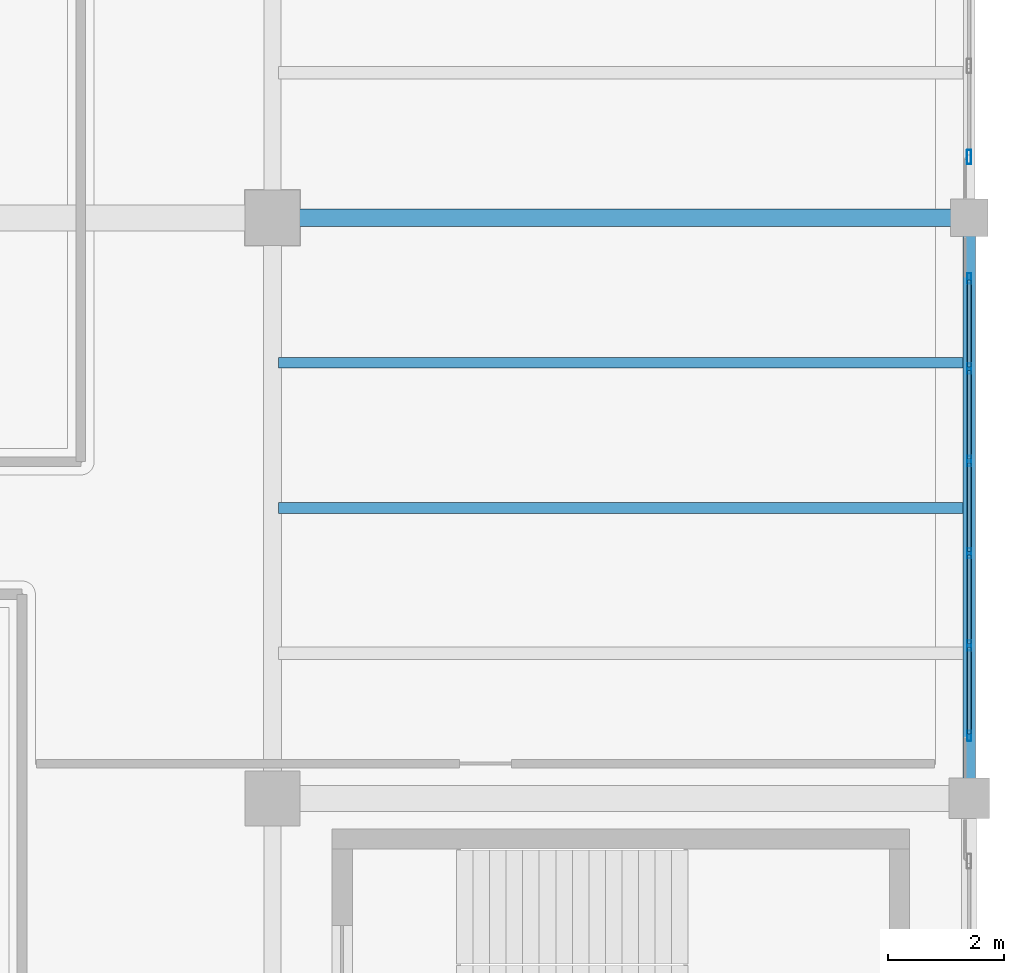
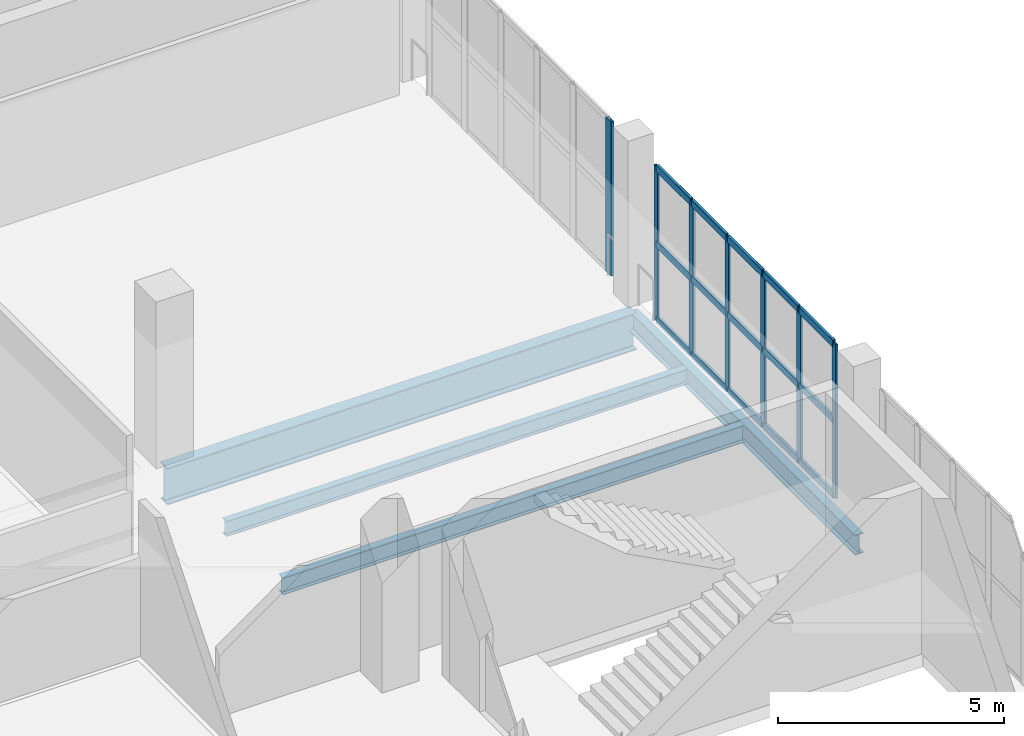
# One storey, part 39 of 90: 22 members, 4 beams, 2 elements without a shape of their own.
"""IFC4 building model written with IfcOpenShell, lengths in metres."""

from ifc_helpers import new_model, si_unit, direction, frame, origin, origin_2d, place, context, subcontext, project, spatial, hollow_rectangle, i_section, extrude, material, layer, layer_set, material_profile, profile_set, type_object, element, aggregate, save


model = new_model("IFC4")

# Units and contexts
model_context = context("Model", 3, precision=1e-05, world=origin(), true_north=direction((0.0, 1.0)))
body_context = subcontext(model_context, "Body", "Model", "MODEL_VIEW")
ifc_project = project(units=[si_unit("LENGTHUNIT", "METRE"), si_unit("AREAUNIT", "SQUARE_METRE"), si_unit("VOLUMEUNIT", "CUBIC_METRE"), si_unit("PLANEANGLEUNIT", "RADIAN"), si_unit("MASSUNIT", "GRAM", prefix="KILO")], contexts=[model_context])

# Site, building, storey
site_placement = place(None, origin())
site = spatial("IfcSite", under=ifc_project, at=site_placement, CompositionType="ELEMENT")
building_placement = place(site_placement, origin())
building = spatial("IfcBuilding", under=site, at=building_placement, Name="Brinegate Civic Arena", CompositionType="ELEMENT")
storey_placement = place(building_placement, frame((0.0, 0.0, 14.699951171875)))
storey = spatial("IfcBuildingStorey", under=building, at=storey_placement, Name="L03", CompositionType="ELEMENT", Elevation=14.699951171875)

# Curtain wall, members
ifc_material_1 = material(Name="Marine grade aluminium", Category="aluminium")
ifc_layer = layer(ifc_material_1, 0.199951171875, Name="Marine grade aluminium")
ifc_layer_set = layer_set([ifc_layer], Name="Marine grade aluminium")
curtain_wall_type = type_object("IfcCurtainWallType", Name="CW-BOWL-GLAZED-01", PredefinedType="USERDEFINED", material=ifc_layer_set)
curtain_wall_1_placement = place(storey_placement, origin())
curtain_wall_1 = element("IfcCurtainWall", 1, at=curtain_wall_1_placement, inside=storey, type_object=curtain_wall_type, Name="Curtain Wall CWA-112", ObjectType="GLAZED CURTAIN WALL", PredefinedType="USERDEFINED")
ifc_material_profile_1 = material_profile(ifc_material_1, hollow_rectangle(XDim=0.06494140625, YDim=0.179931640625, WallThickness=0.0048828125, InnerFilletRadius=0.00390625, OuterFilletRadius=0.008056640625, at=origin_2d()), Name="MUL65X180")
ifc_profile_set_1 = profile_set([ifc_material_profile_1], Name="Marine grade aluminium")
member_type_1 = type_object("IfcMemberType", Name="CW-MULLION-65X180", PredefinedType="MULLION", material=ifc_profile_set_1)
member_1_placement = place(storey_placement, frame((168.0, 53.077392578125, 0.0), z_axis=(0.0, 0.0, 1.0), x_axis=(-1.0, 0.0, 0.0)))
member_1 = element("IfcMember", 2, at=member_1_placement, type_object=member_type_1, Name="CWA-112 mullion 1", PredefinedType="MULLION", context=body_context, shape_type="SweptSolid", body=[
    extrude(hollow_rectangle(XDim=0.06494140625, YDim=0.179931640625, WallThickness=0.0048828125, InnerFilletRadius=0.00390625, OuterFilletRadius=0.008056640625, at=origin_2d()), origin(), (0.0, 0.0, 1.0), 4.16015625),
])
member_2_placement = place(storey_placement, frame((168.0, 54.634033203125, 0.0), z_axis=(0.0, 0.0, 1.0), x_axis=(-1.0, 0.0, 0.0)))
member_2 = element("IfcMember", 3, at=member_2_placement, type_object=member_type_1, Name="CWA-112 mullion 2", PredefinedType="MULLION", context=body_context, shape_type="SweptSolid", body=[
    extrude(hollow_rectangle(XDim=0.06494140625, YDim=0.179931640625, WallThickness=0.0048828125, InnerFilletRadius=0.00390625, OuterFilletRadius=0.008056640625, at=origin_2d()), origin(), (0.0, 0.0, 1.0), 4.16015625),
])
member_3_placement = place(storey_placement, frame((168.0, 56.222900390625, 0.0), z_axis=(0.0, 0.0, 1.0), x_axis=(-1.0, 0.0, 0.0)))
member_3 = element("IfcMember", 4, at=member_3_placement, type_object=member_type_1, Name="CWA-112 mullion 3", PredefinedType="MULLION", context=body_context, shape_type="SweptSolid", body=[
    extrude(hollow_rectangle(XDim=0.06494140625, YDim=0.179931640625, WallThickness=0.0048828125, InnerFilletRadius=0.00390625, OuterFilletRadius=0.008056640625, at=origin_2d()), origin(), (0.0, 0.0, 1.0), 4.16015625),
])
member_4_placement = place(storey_placement, frame((168.0, 57.81201171875, 0.0), z_axis=(0.0, 0.0, 1.0), x_axis=(-1.0, 0.0, 0.0)))
member_4 = element("IfcMember", 5, at=member_4_placement, type_object=member_type_1, Name="CWA-112 mullion 4", PredefinedType="MULLION", context=body_context, shape_type="SweptSolid", body=[
    extrude(hollow_rectangle(XDim=0.06494140625, YDim=0.179931640625, WallThickness=0.0048828125, InnerFilletRadius=0.00390625, OuterFilletRadius=0.008056640625, at=origin_2d()), origin(), (0.0, 0.0, 1.0), 4.16015625),
])
member_5_placement = place(storey_placement, frame((168.0, 59.40087890625, 0.0), z_axis=(0.0, 0.0, 1.0), x_axis=(-1.0, 0.0, 0.0)))
member_5 = element("IfcMember", 6, at=member_5_placement, type_object=member_type_1, Name="CWA-112 mullion 5", PredefinedType="MULLION", context=body_context, shape_type="SweptSolid", body=[
    extrude(hollow_rectangle(XDim=0.06494140625, YDim=0.179931640625, WallThickness=0.0048828125, InnerFilletRadius=0.00390625, OuterFilletRadius=0.008056640625, at=origin_2d()), origin(), (0.0, 0.0, 1.0), 4.16015625),
])
member_6_placement = place(storey_placement, frame((168.0, 60.95751953125, 0.0), z_axis=(0.0, 0.0, 1.0), x_axis=(-1.0, 0.0, 0.0)))
member_6 = element("IfcMember", 7, at=member_6_placement, type_object=member_type_1, Name="CWA-112 mullion 6", PredefinedType="MULLION", context=body_context, shape_type="SweptSolid", body=[
    extrude(hollow_rectangle(XDim=0.06494140625, YDim=0.179931640625, WallThickness=0.0048828125, InnerFilletRadius=0.00390625, OuterFilletRadius=0.008056640625, at=origin_2d()), origin(), (0.0, 0.0, 1.0), 4.16015625),
])

# Curtain wall, member
curtain_wall_2_placement = place(storey_placement, origin())
curtain_wall_2 = element("IfcCurtainWall", 8, at=curtain_wall_2_placement, inside=storey, type_object=curtain_wall_type, Name="Curtain Wall CWA-114", ObjectType="GLAZED CURTAIN WALL", PredefinedType="USERDEFINED")
ifc_material_profile_2 = material_profile(ifc_material_1, hollow_rectangle(XDim=0.074951171875, YDim=0.25, WallThickness=0.006103515625, InnerFilletRadius=0.00390625, OuterFilletRadius=0.008056640625, at=origin_2d()), Name="MUL75X250")
ifc_profile_set_2 = profile_set([ifc_material_profile_2], Name="Marine grade aluminium")
member_type_2 = type_object("IfcMemberType", Name="CW-MULLION-75X250", PredefinedType="MULLION", material=ifc_profile_set_2)
member_7_placement = place(storey_placement, frame((168.0, 63.047607421875, 0.0), z_axis=(0.0, 0.0, 1.0), x_axis=(-1.0, 0.0, 0.0)))
member_7 = element("IfcMember", 9, at=member_7_placement, type_object=member_type_2, Name="CWA-114 mullion 1", PredefinedType="MULLION", context=body_context, shape_type="SweptSolid", body=[
    extrude(hollow_rectangle(XDim=0.074951171875, YDim=0.25, WallThickness=0.006103515625, InnerFilletRadius=0.00390625, OuterFilletRadius=0.008056640625, at=origin_2d()), origin(), (0.0, 0.0, 1.0), 4.16015625),
])
aggregate(curtain_wall_2, [member_7])

# Member
ifc_material_profile_3 = material_profile(ifc_material_1, hollow_rectangle(XDim=0.074951171875, YDim=0.18994140625, WallThickness=0.006103515625, InnerFilletRadius=0.00390625, OuterFilletRadius=0.008056640625, at=origin_2d()), Name="TRN75X190")
ifc_profile_set_3 = profile_set([ifc_material_profile_3], Name="Marine grade aluminium")
member_type_3 = type_object("IfcMemberType", Name="CW-TRANSOM-75X190", PredefinedType="USERDEFINED", material=ifc_profile_set_3)
member_8_placement = place(storey_placement, frame((168.0, 53.110107421875, 0.03759765625), z_axis=(0.0, 1.0, 0.0), x_axis=(-1.0, 0.0, 0.0)))
member_8 = element("IfcMember", 10, at=member_8_placement, type_object=member_type_3, Name="CWA-112 transom 1.1", ObjectType="TRANSOM", PredefinedType="USERDEFINED", context=body_context, shape_type="SweptSolid", body=[
    extrude(hollow_rectangle(XDim=0.074951171875, YDim=0.18994140625, WallThickness=0.006103515625, InnerFilletRadius=0.00390625, OuterFilletRadius=0.008056640625, at=origin_2d()), origin(), (0.0, 0.0, 1.0), 1.491455078125),
])

member_9_placement = place(storey_placement, frame((168.0, 53.110107421875, 2.080078125), z_axis=(0.0, 1.0, 0.0), x_axis=(-1.0, 0.0, 0.0)))
member_9 = element("IfcMember", 11, at=member_9_placement, type_object=member_type_3, Name="CWA-112 transom 1.2", ObjectType="TRANSOM", PredefinedType="USERDEFINED", context=body_context, shape_type="SweptSolid", body=[
    extrude(hollow_rectangle(XDim=0.074951171875, YDim=0.18994140625, WallThickness=0.006103515625, InnerFilletRadius=0.00390625, OuterFilletRadius=0.008056640625, at=origin_2d()), origin(), (0.0, 0.0, 1.0), 1.491455078125),
])

member_10_placement = place(storey_placement, frame((168.0, 53.110107421875, 4.12255859375), z_axis=(0.0, 1.0, 0.0), x_axis=(-1.0, 0.0, 0.0)))
member_10 = element("IfcMember", 12, at=member_10_placement, type_object=member_type_3, Name="CWA-112 transom 1.3", ObjectType="TRANSOM", PredefinedType="USERDEFINED", context=body_context, shape_type="SweptSolid", body=[
    extrude(hollow_rectangle(XDim=0.074951171875, YDim=0.18994140625, WallThickness=0.006103515625, InnerFilletRadius=0.00390625, OuterFilletRadius=0.008056640625, at=origin_2d()), origin(), (0.0, 0.0, 1.0), 1.491455078125),
])

member_11_placement = place(storey_placement, frame((168.0, 54.66650390625, 0.03759765625), z_axis=(0.0, 1.0, 0.0), x_axis=(-1.0, 0.0, 0.0)))
member_11 = element("IfcMember", 13, at=member_11_placement, type_object=member_type_3, Name="CWA-112 transom 2.1", ObjectType="TRANSOM", PredefinedType="USERDEFINED", context=body_context, shape_type="SweptSolid", body=[
    extrude(hollow_rectangle(XDim=0.074951171875, YDim=0.18994140625, WallThickness=0.006103515625, InnerFilletRadius=0.00390625, OuterFilletRadius=0.008056640625, at=origin_2d()), origin(), (0.0, 0.0, 1.0), 1.52392578125),
])

member_12_placement = place(storey_placement, frame((168.0, 54.66650390625, 2.080078125), z_axis=(0.0, 1.0, 0.0), x_axis=(-1.0, 0.0, 0.0)))
member_12 = element("IfcMember", 14, at=member_12_placement, type_object=member_type_3, Name="CWA-112 transom 2.2", ObjectType="TRANSOM", PredefinedType="USERDEFINED", context=body_context, shape_type="SweptSolid", body=[
    extrude(hollow_rectangle(XDim=0.074951171875, YDim=0.18994140625, WallThickness=0.006103515625, InnerFilletRadius=0.00390625, OuterFilletRadius=0.008056640625, at=origin_2d()), origin(), (0.0, 0.0, 1.0), 1.52392578125),
])

member_13_placement = place(storey_placement, frame((168.0, 54.66650390625, 4.12255859375), z_axis=(0.0, 1.0, 0.0), x_axis=(-1.0, 0.0, 0.0)))
member_13 = element("IfcMember", 15, at=member_13_placement, type_object=member_type_3, Name="CWA-112 transom 2.3", ObjectType="TRANSOM", PredefinedType="USERDEFINED", context=body_context, shape_type="SweptSolid", body=[
    extrude(hollow_rectangle(XDim=0.074951171875, YDim=0.18994140625, WallThickness=0.006103515625, InnerFilletRadius=0.00390625, OuterFilletRadius=0.008056640625, at=origin_2d()), origin(), (0.0, 0.0, 1.0), 1.52392578125),
])

member_14_placement = place(storey_placement, frame((168.0, 56.255615234375, 0.03759765625), z_axis=(0.0, 1.0, 0.0), x_axis=(-1.0, 0.0, 0.0)))
member_14 = element("IfcMember", 16, at=member_14_placement, type_object=member_type_3, Name="CWA-112 transom 3.1", ObjectType="TRANSOM", PredefinedType="USERDEFINED", context=body_context, shape_type="SweptSolid", body=[
    extrude(hollow_rectangle(XDim=0.074951171875, YDim=0.18994140625, WallThickness=0.006103515625, InnerFilletRadius=0.00390625, OuterFilletRadius=0.008056640625, at=origin_2d()), origin(), (0.0, 0.0, 1.0), 1.52392578125),
])

member_15_placement = place(storey_placement, frame((168.0, 56.255615234375, 2.080078125), z_axis=(0.0, 1.0, 0.0), x_axis=(-1.0, 0.0, 0.0)))
member_15 = element("IfcMember", 17, at=member_15_placement, type_object=member_type_3, Name="CWA-112 transom 3.2", ObjectType="TRANSOM", PredefinedType="USERDEFINED", context=body_context, shape_type="SweptSolid", body=[
    extrude(hollow_rectangle(XDim=0.074951171875, YDim=0.18994140625, WallThickness=0.006103515625, InnerFilletRadius=0.00390625, OuterFilletRadius=0.008056640625, at=origin_2d()), origin(), (0.0, 0.0, 1.0), 1.52392578125),
])

member_16_placement = place(storey_placement, frame((168.0, 56.255615234375, 4.12255859375), z_axis=(0.0, 1.0, 0.0), x_axis=(-1.0, 0.0, 0.0)))
member_16 = element("IfcMember", 18, at=member_16_placement, type_object=member_type_3, Name="CWA-112 transom 3.3", ObjectType="TRANSOM", PredefinedType="USERDEFINED", context=body_context, shape_type="SweptSolid", body=[
    extrude(hollow_rectangle(XDim=0.074951171875, YDim=0.18994140625, WallThickness=0.006103515625, InnerFilletRadius=0.00390625, OuterFilletRadius=0.008056640625, at=origin_2d()), origin(), (0.0, 0.0, 1.0), 1.52392578125),
])

member_17_placement = place(storey_placement, frame((168.0, 57.844482421875, 0.03759765625), z_axis=(0.0, 1.0, 0.0), x_axis=(-1.0, 0.0, 0.0)))
member_17 = element("IfcMember", 19, at=member_17_placement, type_object=member_type_3, Name="CWA-112 transom 4.1", ObjectType="TRANSOM", PredefinedType="USERDEFINED", context=body_context, shape_type="SweptSolid", body=[
    extrude(hollow_rectangle(XDim=0.074951171875, YDim=0.18994140625, WallThickness=0.006103515625, InnerFilletRadius=0.00390625, OuterFilletRadius=0.008056640625, at=origin_2d()), origin(), (0.0, 0.0, 1.0), 1.52392578125),
])

member_18_placement = place(storey_placement, frame((168.0, 57.844482421875, 2.080078125), z_axis=(0.0, 1.0, 0.0), x_axis=(-1.0, 0.0, 0.0)))
member_18 = element("IfcMember", 20, at=member_18_placement, type_object=member_type_3, Name="CWA-112 transom 4.2", ObjectType="TRANSOM", PredefinedType="USERDEFINED", context=body_context, shape_type="SweptSolid", body=[
    extrude(hollow_rectangle(XDim=0.074951171875, YDim=0.18994140625, WallThickness=0.006103515625, InnerFilletRadius=0.00390625, OuterFilletRadius=0.008056640625, at=origin_2d()), origin(), (0.0, 0.0, 1.0), 1.52392578125),
])

member_19_placement = place(storey_placement, frame((168.0, 57.844482421875, 4.12255859375), z_axis=(0.0, 1.0, 0.0), x_axis=(-1.0, 0.0, 0.0)))
member_19 = element("IfcMember", 21, at=member_19_placement, type_object=member_type_3, Name="CWA-112 transom 4.3", ObjectType="TRANSOM", PredefinedType="USERDEFINED", context=body_context, shape_type="SweptSolid", body=[
    extrude(hollow_rectangle(XDim=0.074951171875, YDim=0.18994140625, WallThickness=0.006103515625, InnerFilletRadius=0.00390625, OuterFilletRadius=0.008056640625, at=origin_2d()), origin(), (0.0, 0.0, 1.0), 1.52392578125),
])

member_20_placement = place(storey_placement, frame((168.0, 59.43359375, 0.03759765625), z_axis=(0.0, 1.0, 0.0), x_axis=(-1.0, 0.0, 0.0)))
member_20 = element("IfcMember", 22, at=member_20_placement, type_object=member_type_3, Name="CWA-112 transom 5.1", ObjectType="TRANSOM", PredefinedType="USERDEFINED", context=body_context, shape_type="SweptSolid", body=[
    extrude(hollow_rectangle(XDim=0.074951171875, YDim=0.18994140625, WallThickness=0.006103515625, InnerFilletRadius=0.00390625, OuterFilletRadius=0.008056640625, at=origin_2d()), origin(), (0.0, 0.0, 1.0), 1.491455078125),
])

member_21_placement = place(storey_placement, frame((168.0, 59.43359375, 2.080078125), z_axis=(0.0, 1.0, 0.0), x_axis=(-1.0, 0.0, 0.0)))
member_21 = element("IfcMember", 23, at=member_21_placement, type_object=member_type_3, Name="CWA-112 transom 5.2", ObjectType="TRANSOM", PredefinedType="USERDEFINED", context=body_context, shape_type="SweptSolid", body=[
    extrude(hollow_rectangle(XDim=0.074951171875, YDim=0.18994140625, WallThickness=0.006103515625, InnerFilletRadius=0.00390625, OuterFilletRadius=0.008056640625, at=origin_2d()), origin(), (0.0, 0.0, 1.0), 1.491455078125),
])

member_22_placement = place(storey_placement, frame((168.0, 59.43359375, 4.12255859375), z_axis=(0.0, 1.0, 0.0), x_axis=(-1.0, 0.0, 0.0)))
member_22 = element("IfcMember", 24, at=member_22_placement, type_object=member_type_3, Name="CWA-112 transom 5.3", ObjectType="TRANSOM", PredefinedType="USERDEFINED", context=body_context, shape_type="SweptSolid", body=[
    extrude(hollow_rectangle(XDim=0.074951171875, YDim=0.18994140625, WallThickness=0.006103515625, InnerFilletRadius=0.00390625, OuterFilletRadius=0.008056640625, at=origin_2d()), origin(), (0.0, 0.0, 1.0), 1.491455078125),
])

aggregate(curtain_wall_1, [member_1, member_2, member_3, member_4, member_5, member_6, member_8, member_9, member_10, member_11, member_12, member_13, member_14, member_15, member_16, member_17, member_18, member_19, member_20, member_21, member_22])

# Beams
ifc_material_2 = material(Name="Steel S355", Category="steel")
ifc_material_profile_4 = material_profile(ifc_material_2, i_section(OverallWidth=0.300048828125, OverallDepth=1.0, WebThickness=0.01904296875, FlangeThickness=0.031982421875, FilletRadius=0.02392578125, at=origin_2d()), Name="W1000X321")
ifc_profile_set_4 = profile_set([ifc_material_profile_4], Name="Steel S355")
beam_type_1 = type_object("IfcBeamType", Name="GIRDER-W1000X321", PredefinedType="BEAM", material=ifc_profile_set_4)
beam_1_placement = place(storey_placement, frame((156.0, 62.0, -0.849853515625), z_axis=(1.0, 0.0, 0.0), x_axis=(0.0, 1.0, 0.0)))
element("IfcBeam", 25, at=beam_1_placement, inside=storey, type_object=beam_type_1, Name="Floor Girder BM-L03-GX-13-06", PredefinedType="BEAM", context=body_context, shape_type="SweptSolid", body=[
    extrude(i_section(OverallWidth=0.300048828125, OverallDepth=1.0, WebThickness=0.01904296875, FlangeThickness=0.031982421875, FilletRadius=0.02392578125, at=origin_2d()), origin(), (0.0, 0.0, 1.0), 12.0),
])
ifc_material_profile_5 = material_profile(ifc_material_2, i_section(OverallWidth=0.179931640625, OverallDepth=0.4130859375, WebThickness=0.010009765625, FlangeThickness=0.01611328125, FilletRadius=0.013916015625, at=origin_2d()), Name="W410X75")
ifc_profile_set_5 = profile_set([ifc_material_profile_5], Name="Steel S355")
beam_type_2 = type_object("IfcBeamType", Name="JOIST-W410X75", PredefinedType="JOIST", material=ifc_profile_set_5)
beam_2_placement = place(storey_placement, frame((156.10595703125, 59.5, -0.555908203125), z_axis=(1.0, 0.0, 0.0), x_axis=(0.0, 1.0, 0.0)))
element("IfcBeam", 26, at=beam_2_placement, inside=storey, type_object=beam_type_2, Name="Secondary Joist BM-L03-JX-13-05-3", PredefinedType="JOIST", context=body_context, shape_type="SweptSolid", body=[
    extrude(i_section(OverallWidth=0.179931640625, OverallDepth=0.4130859375, WebThickness=0.010009765625, FlangeThickness=0.01611328125, FilletRadius=0.013916015625, at=origin_2d()), origin(), (0.0, 0.0, 1.0), 11.7880859375),
])
ifc_material_profile_6 = material_profile(ifc_material_2, i_section(OverallWidth=0.193115234375, OverallDepth=0.466064453125, WebThickness=0.010986328125, FlangeThickness=0.01904296875, FilletRadius=0.014892578125, at=origin_2d()), Name="W460X97")
ifc_profile_set_6 = profile_set([ifc_material_profile_6], Name="Steel S355")
beam_type_3 = type_object("IfcBeamType", Name="JOIST-W460X97", PredefinedType="JOIST", material=ifc_profile_set_6)
beam_3_placement = place(storey_placement, frame((156.10595703125, 57.0, -0.5830078125), z_axis=(1.0, 0.0, 0.0), x_axis=(0.0, 1.0, 0.0)))
element("IfcBeam", 27, at=beam_3_placement, inside=storey, type_object=beam_type_3, Name="Secondary Joist BM-L03-JX-13-05-2", PredefinedType="JOIST", context=body_context, shape_type="SweptSolid", body=[
    extrude(i_section(OverallWidth=0.193115234375, OverallDepth=0.466064453125, WebThickness=0.010986328125, FlangeThickness=0.01904296875, FilletRadius=0.014892578125, at=origin_2d()), origin(), (0.0, 0.0, 1.0), 11.7880859375),
])
ifc_material_profile_7 = material_profile(ifc_material_2, i_section(OverallWidth=0.2119140625, OverallDepth=0.5439453125, WebThickness=0.012939453125, FlangeThickness=0.02099609375, FilletRadius=0.01611328125, at=origin_2d()), Name="W530X123")
ifc_profile_set_7 = profile_set([ifc_material_profile_7], Name="Steel S355")
beam_type_4 = type_object("IfcBeamType", Name="SPANDREL-W530X123", PredefinedType="SPANDREL", material=ifc_profile_set_7)
beam_4_placement = place(storey_placement, frame((168.0, 52.0, -0.6220703125), z_axis=(0.0, 1.0, 0.0), x_axis=(-1.0, 0.0, 0.0)))
element("IfcBeam", 28, at=beam_4_placement, inside=storey, type_object=beam_type_4, Name="Floor Girder BM-L03-GY-14-05", PredefinedType="SPANDREL", context=body_context, shape_type="SweptSolid", body=[
    extrude(i_section(OverallWidth=0.2119140625, OverallDepth=0.5439453125, WebThickness=0.012939453125, FlangeThickness=0.02099609375, FilletRadius=0.01611328125, at=origin_2d()), origin(), (0.0, 0.0, 1.0), 10.0),
])

save(model, "model.ifc")
